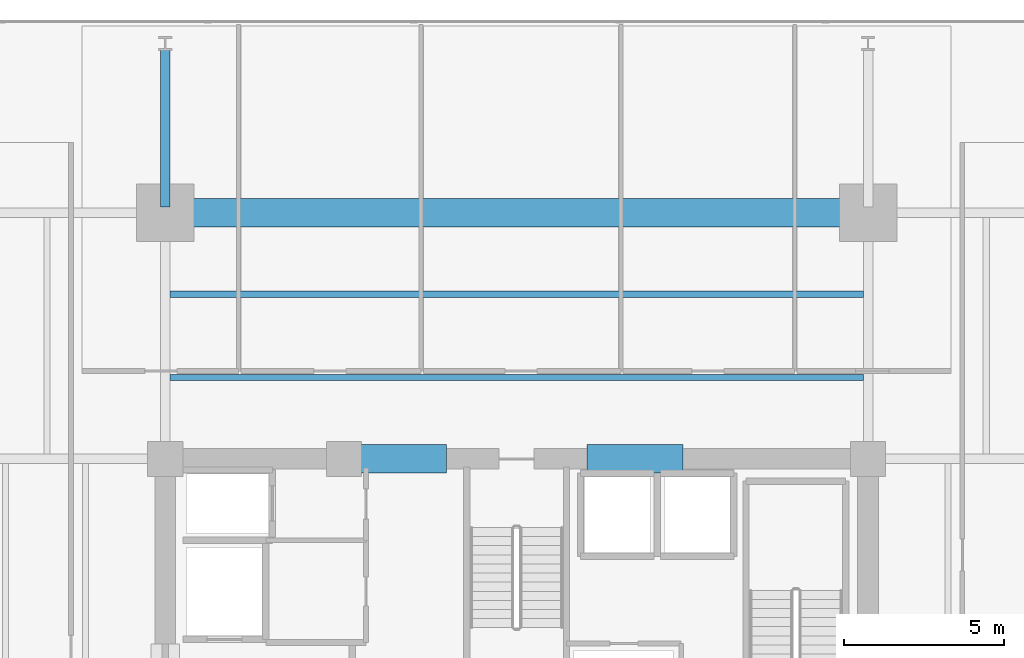
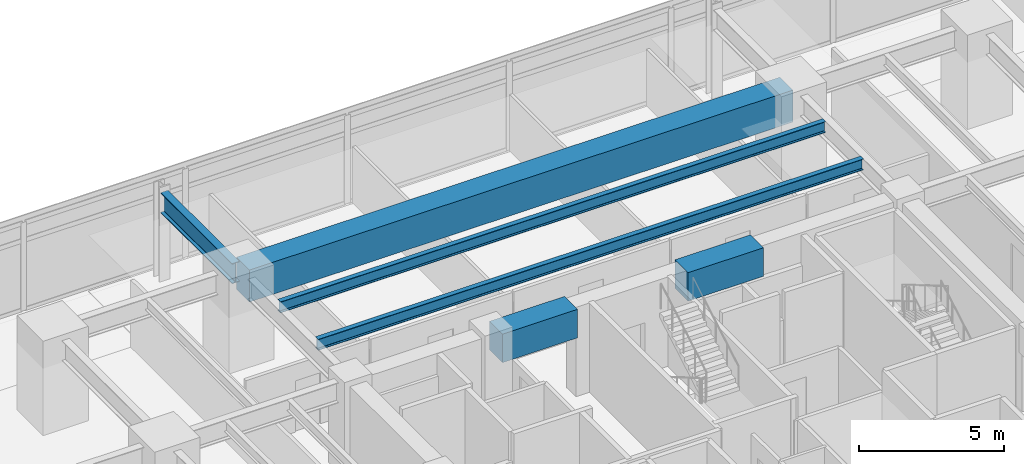
# One storey, part 7 of 23: 6 beams.
"""IFC4 building model written with IfcOpenShell, lengths in metres."""

import ifcopenshell
import ifcopenshell.guid

model = None  # the IFC model being written
_history = None  # IfcOwnerHistory: only IFC2X3 demands one
_inside = {}  # id of a spatial element -> (the spatial element, [elements in it])
_under = {}  # id of a project, library or spatial element -> (it, [spatial elements below it])
_declared = {}  # id of a project -> (the project, [libraries it declares])
_typed = {}  # id of a type object -> (the type object, [elements of that type])
_made_of = {}  # id of a material, layer set ... -> (it, [elements and type objects made of it])


def new_model(schema):
    """Start an empty IFC model of exactly this schema.

    Asked for "IFC4X3", IfcOpenShell would pick the latest addendum, in which some entities
    have other attributes; the version numbers below select the first issue.
    IFC2X3 requires an IfcOwnerHistory on every rooted entity: one is made here for all.
    """
    global model, _history
    if schema == "IFC4X3":
        model = ifcopenshell.file(schema_version=(4, 3, 0, 0))
    else:
        model = ifcopenshell.file(schema=schema)
    _inside.clear()
    _under.clear()
    _declared.clear()
    _typed.clear()
    _made_of.clear()
    _history = None
    if model.schema == "IFC2X3":
        org = make("IfcOrganization", Name="unknown")
        user = make(
            "IfcPersonAndOrganization",
            ThePerson=make("IfcPerson", FamilyName="unknown"),
            TheOrganization=org,
        )
        app = make(
            "IfcApplication",
            ApplicationDeveloper=org,
            Version="unknown",
            ApplicationFullName="unknown",
            ApplicationIdentifier="unknown",
        )
        _history = make(
            "IfcOwnerHistory",
            OwningUser=user,
            OwningApplication=app,
            ChangeAction="ADDED",
            CreationDate=0,
        )
    return model


def make(cls, **values):
    """One entity of the class cls with the attributes given. An attribute that is None is left unset."""
    return model.create_entity(
        cls, **{name: value for name, value in values.items() if value is not None}
    )


def rooted(cls, **values):
    """An entity with a GlobalId (a new one), such as an element, a storey or a relation."""
    return make(cls, GlobalId=ifcopenshell.guid.new(), OwnerHistory=_history, **values)


def si_unit(unit_type, name, prefix=None):
    """IfcSIUnit, for example si_unit("LENGTHUNIT", "METRE", prefix="MILLI")."""
    return make("IfcSIUnit", UnitType=unit_type, Prefix=prefix, Name=name)


def assignment(units):
    """IfcUnitAssignment: the units of a project."""
    return None if units is None else make("IfcUnitAssignment", Units=units)


def point(xyz):
    """IfcCartesianPoint."""
    return None if xyz is None else make("IfcCartesianPoint", Coordinates=xyz)


def direction(xyz):
    """IfcDirection."""
    return None if xyz is None else make("IfcDirection", DirectionRatios=xyz)


def frame(location, z_axis=None, x_axis=None):
    """IfcAxis2Placement3D, a coordinate frame: its origin and axes. An axis left out is left unset."""
    return make(
        "IfcAxis2Placement3D",
        Location=point(location),
        Axis=direction(z_axis),
        RefDirection=direction(x_axis),
    )


def frame_2d(location, x_axis=None):
    """IfcAxis2Placement2D, a coordinate frame in the plane: its origin and x axis."""
    return make(
        "IfcAxis2Placement2D", Location=point(location), RefDirection=direction(x_axis)
    )


def origin():
    """The frame at (0, 0, 0) with its axes left unset."""
    return frame((0.0, 0.0, 0.0))


def origin_2d():
    """The frame at (0, 0) in the plane with its x axis left unset."""
    return frame_2d((0.0, 0.0))


def place(relative_to, where):
    """IfcLocalPlacement: puts the frame where relative to a parent placement (None: the world)."""
    return make(
        "IfcLocalPlacement", PlacementRelTo=relative_to, RelativePlacement=where
    )


def context(
    kind, dimensions, precision=None, world=None, true_north=None, identifier=None
):
    """IfcGeometricRepresentationContext, for example the 3D "Model" context."""
    return make(
        "IfcGeometricRepresentationContext",
        ContextIdentifier=identifier,
        ContextType=kind,
        CoordinateSpaceDimension=dimensions,
        Precision=precision,
        WorldCoordinateSystem=world,
        TrueNorth=true_north,
    )


def subcontext(parent, identifier, kind, view, scale=None):
    """IfcGeometricRepresentationSubContext, for example "Body" below "Model"."""
    return make(
        "IfcGeometricRepresentationSubContext",
        ContextIdentifier=identifier,
        ContextType=kind,
        ParentContext=parent,
        TargetScale=scale,
        TargetView=view,
    )


def project(units=None, contexts=None):
    """IfcProject with its units and contexts."""
    return rooted(
        "IfcProject",
        Name="project",
        RepresentationContexts=contexts,
        UnitsInContext=assignment(units),
    )


def spatial(cls, under=None, at=None, **own):
    """A site, building, storey or space (cls), placed at a placement, below another one or the project."""
    s = rooted(cls, ObjectPlacement=at, **own)
    if under is not None:
        _under.setdefault(under.id(), (under, []))[1].append(s)
    return s


def profile(cls, at=None, kind="AREA", **sizes):
    """A parametric profile (cls). Its sizes go by their IFC names, for example OverallWidth=200.0."""
    return make(cls, ProfileType=kind, Position=at, **sizes)


def rectangle(**sizes):
    """IfcRectangleProfileDef."""
    return profile("IfcRectangleProfileDef", **sizes)


def i_section(**sizes):
    """IfcIShapeProfileDef."""
    return profile("IfcIShapeProfileDef", **sizes)


def extrude(swept, where, along, depth):
    """IfcExtrudedAreaSolid: the profile swept, set in the frame where, extruded along a direction by depth."""
    return make(
        "IfcExtrudedAreaSolid",
        SweptArea=swept,
        Position=where,
        ExtrudedDirection=direction(along),
        Depth=depth,
    )


def shape(context_of_items, identifier, shape_type, items):
    """IfcShapeRepresentation: the items that make up one representation, for example the "Body"."""
    return make(
        "IfcShapeRepresentation",
        ContextOfItems=context_of_items,
        RepresentationIdentifier=identifier,
        RepresentationType=shape_type,
        Items=items,
    )


def material(Name=None, Category=None):
    """IfcMaterial."""
    return make("IfcMaterial", Name=Name, Category=Category)


def material_profile(
    of_material, cross_section, Name=None, Category=None, Priority=None
):
    """IfcMaterialProfile: a cross section and its material."""
    return make(
        "IfcMaterialProfile",
        Name=Name,
        Material=of_material,
        Profile=cross_section,
        Priority=Priority,
        Category=Category,
    )


def profile_set(profiles, Name=None, composite=None):
    """IfcMaterialProfileSet."""
    return make(
        "IfcMaterialProfileSet",
        Name=Name,
        MaterialProfiles=profiles,
        CompositeProfile=composite,
    )


def made_of(thing, what):
    """Note that an element or type object is made of a material, layer set ...; save() writes the relation."""
    if what is not None:
        _made_of.setdefault(what.id(), (what, []))[1].append(thing)
    return thing


def type_object(cls, material=None, **own):
    """A type object (cls), such as IfcWallType, which elements share."""
    return made_of(rooted(cls, **own), material)


def element(
    cls,
    number,
    at=None,
    inside=None,
    cuts=None,
    type_object=None,
    material=None,
    context=None,
    identifier="Body",
    shape_type=None,
    held_by="IfcProductDefinitionShape",
    body=None,
    shapes=None,
    **own,
):
    """One element of the class cls, such as IfcWall. Its Tag is "e" and its number.

    at: its placement. inside: the storey or other place that contains it. cuts: it is an
    opening in that element (IfcRelVoidsElement). A single representation is given by context,
    identifier, shape_type and body (its items); several are given by shapes. held_by: the class
    of the entity that holds the representations. save() writes the other relations.
    """
    e = rooted(cls, Tag="e%d" % number, ObjectPlacement=at, **own)
    if body is not None:
        shapes = [shape(context, identifier, shape_type, body)]
    if shapes is not None:
        e.Representation = make(held_by, Representations=shapes)
    if inside is not None:
        _inside.setdefault(inside.id(), (inside, []))[1].append(e)
    if cuts is not None:
        rooted(
            "IfcRelVoidsElement", RelatingBuildingElement=cuts, RelatedOpeningElement=e
        )
    if type_object is not None:
        _typed.setdefault(type_object.id(), (type_object, []))[1].append(e)
    return made_of(e, material)


def aggregate(whole, parts):
    """IfcRelAggregates: a whole, such as a stair, and the parts it consists of."""
    return rooted("IfcRelAggregates", RelatingObject=whole, RelatedObjects=parts)


def save(model, path):
    """Write the relations noted so far, then the file.

    IfcRelAggregates (storeys below a building ...), IfcRelContainedInSpatialStructure (elements
    in a storey), IfcRelDefinesByType, IfcRelAssociatesMaterial and IfcRelDeclares: one each for
    every whole, place, type object, material and project.
    """
    for whole, parts in _under.values():
        aggregate(whole, parts)
    for where, things in _inside.values():
        rooted(
            "IfcRelContainedInSpatialStructure",
            RelatedElements=things,
            RelatingStructure=where,
        )
    for kind, things in _typed.values():
        rooted("IfcRelDefinesByType", RelatedObjects=things, RelatingType=kind)
    for what, things in _made_of.values():
        rooted("IfcRelAssociatesMaterial", RelatedObjects=things, RelatingMaterial=what)
    for by, libraries in _declared.values():
        rooted("IfcRelDeclares", RelatingContext=by, RelatedDefinitions=libraries)
    model.write(path)


model = new_model("IFC4")

# Units and contexts
model_context = context("Model", 3, precision=1e-05, world=origin(), true_north=direction((0.0, 1.0)))
body_context = subcontext(model_context, "Body", "Model", "MODEL_VIEW")
ifc_project = project(units=[si_unit("LENGTHUNIT", "METRE"), si_unit("AREAUNIT", "SQUARE_METRE"), si_unit("VOLUMEUNIT", "CUBIC_METRE"), si_unit("PLANEANGLEUNIT", "RADIAN"), si_unit("MASSUNIT", "GRAM", prefix="KILO")], contexts=[model_context])

# Site, building, storey
site_placement = place(None, origin())
site = spatial("IfcSite", under=ifc_project, at=site_placement, CompositionType="ELEMENT")
building_placement = place(site_placement, origin())
building = spatial("IfcBuilding", under=site, at=building_placement, Name="Kovane Verandah Tower", CompositionType="ELEMENT")
storey_placement = place(building_placement, frame((0.0, 0.0, 91.60009765625)))
storey = spatial("IfcBuildingStorey", under=building, at=storey_placement, Name="L21", CompositionType="ELEMENT", Elevation=91.60009765625)

# Beams
ifc_material_1 = material(Name="Concrete C80/95", Category="concrete")
ifc_material_profile_1 = material_profile(ifc_material_1, rectangle(XDim=0.89990234375, YDim=1.199951171875, at=origin_2d()), Name="RCB900x1200")
ifc_profile_set_1 = profile_set([ifc_material_profile_1], Name="Concrete C80/95")
beam_type_1 = type_object("IfcBeamType", Name="BM-LINTEL-900x1200", PredefinedType="LINTEL", material=ifc_profile_set_1)
for number, where, z_axis, x_axis, name in (
    (1, (34.800048828125, 36.5, 3.159912109375), (1.0, 0.0, 0.0), (0.0, 1.0, 0.0), "L21 Core Coupling Lintel CL-N1"),
    (2, (42.199951171875, 36.5, 3.159912109375), (1.0, 0.0, 0.0), (0.0, 1.0, 0.0), "L21 Core Coupling Lintel CL-N2"),
):
    element("IfcBeam", number, at=place(storey_placement, frame(where, z_axis=z_axis, x_axis=x_axis)), inside=storey, type_object=beam_type_1, Name=name, PredefinedType="LINTEL", context=body_context, shape_type="SweptSolid", body=[
        extrude(rectangle(XDim=0.89990234375, YDim=1.199951171875, at=origin_2d()), origin(), (0.0, 0.0, 1.0), 3.0),
    ])
ifc_material_profile_2 = material_profile(ifc_material_1, rectangle(XDim=0.89990234375, YDim=1.35009765625, at=origin_2d()), Name="RCB900x1350")
ifc_profile_set_2 = profile_set([ifc_material_profile_2], Name="Concrete C80/95")
beam_type_2 = type_object("IfcBeamType", Name="BM-TR-900x1350", PredefinedType="BEAM", material=ifc_profile_set_2)
beam_1_placement = place(storey_placement, frame((29.179931640625, 44.199951171875, 3.0849609375), z_axis=(1.0, 0.0, 0.0), x_axis=(0.0, 1.0, 0.0)))
element("IfcBeam", 3, at=beam_1_placement, inside=storey, type_object=beam_type_2, Name="L21 Primary Tower Girder G-RN2", PredefinedType="BEAM", context=body_context, shape_type="SweptSolid", body=[
    extrude(rectangle(XDim=0.89990234375, YDim=1.35009765625, at=origin_2d()), origin(), (0.0, 0.0, 1.0), 21.64013671875),
])
ifc_material_2 = material(Name="Steel S355", Category="steel")
ifc_material_profile_3 = material_profile(ifc_material_2, i_section(OverallWidth=0.293701171875, OverallDepth=0.850830078125, WebThickness=0.01611328125, FlangeThickness=0.02685546875, FilletRadius=0.017822265625, at=origin_2d()), Name="UB838x292x226")
ifc_profile_set_3 = profile_set([ifc_material_profile_3], Name="Steel S355")
beam_type_3 = type_object("IfcBeamType", Name="BM-UB838x226", PredefinedType="BEAM", material=ifc_profile_set_3)
beam_2_placement = place(storey_placement, frame((29.0, 44.3798828125, 3.33447265625), z_axis=(0.0, 1.0, 0.0), x_axis=(-1.0, 0.0, 0.0)))
element("IfcBeam", 4, at=beam_2_placement, inside=storey, type_object=beam_type_3, Name="L21 Primary Tower Girder G-VN1", PredefinedType="BEAM", context=body_context, shape_type="SweptSolid", body=[
    extrude(i_section(OverallWidth=0.293701171875, OverallDepth=0.850830078125, WebThickness=0.01611328125, FlangeThickness=0.02685546875, FilletRadius=0.017822265625, at=origin_2d()), origin(), (0.0, 0.0, 1.0), 4.940185546875),
])
ifc_material_profile_4 = material_profile(ifc_material_2, i_section(OverallWidth=0.19287109375, OverallDepth=0.46728515625, WebThickness=0.011474609375, FlangeThickness=0.01953125, FilletRadius=0.01025390625, at=origin_2d()), Name="UB457x191x98")
ifc_profile_set_4 = profile_set([ifc_material_profile_4], Name="Steel S355")
beam_type_4 = type_object("IfcBeamType", Name="JST-UB457x98", PredefinedType="JOIST", material=ifc_profile_set_4)
for number, where, z_axis, x_axis, name in (
    (5, (29.14501953125, 39.050048828125, 3.5263671875), (1.0, 0.0, 0.0), (0.0, 1.0, 0.0), "L21 Secondary Composite Joist J-N1"),
    (6, (29.14501953125, 41.64990234375, 3.5263671875), (1.0, 0.0, 0.0), (0.0, 1.0, 0.0), "L21 Secondary Composite Joist J-N2"),
):
    element("IfcBeam", number, at=place(storey_placement, frame(where, z_axis=z_axis, x_axis=x_axis)), inside=storey, type_object=beam_type_4, Name=name, PredefinedType="JOIST", context=body_context, shape_type="SweptSolid", body=[
        extrude(i_section(OverallWidth=0.19287109375, OverallDepth=0.46728515625, WebThickness=0.011474609375, FlangeThickness=0.01953125, FilletRadius=0.01025390625, at=origin_2d()), origin(), (0.0, 0.0, 1.0), 21.7099609375),
    ])

save(model, "model.ifc")
